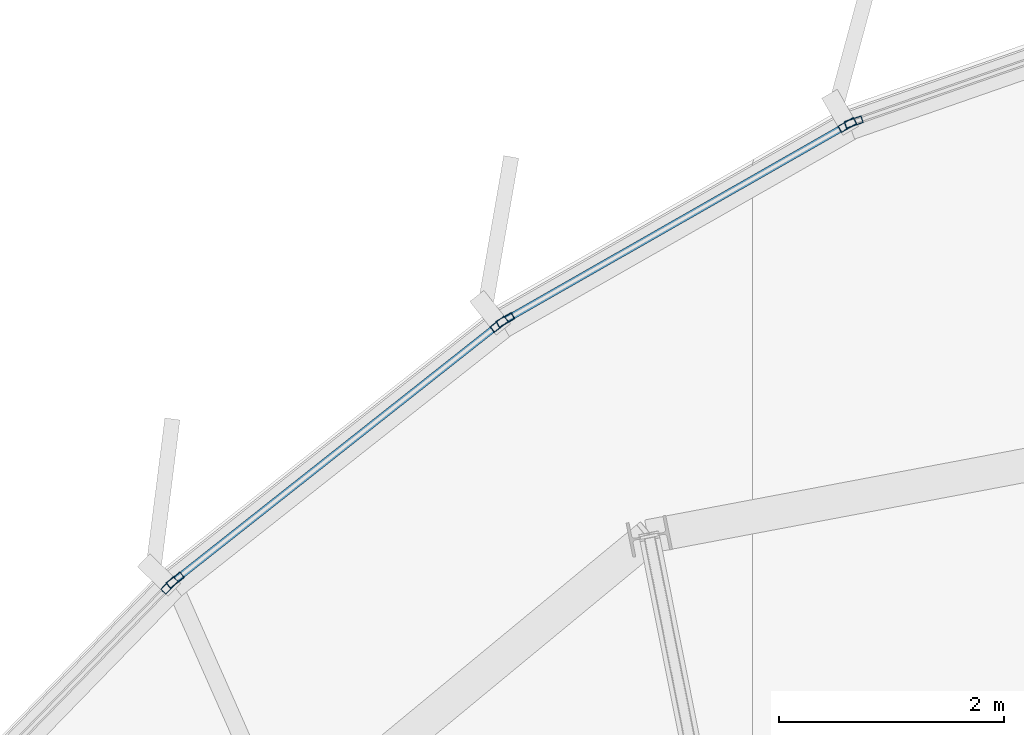
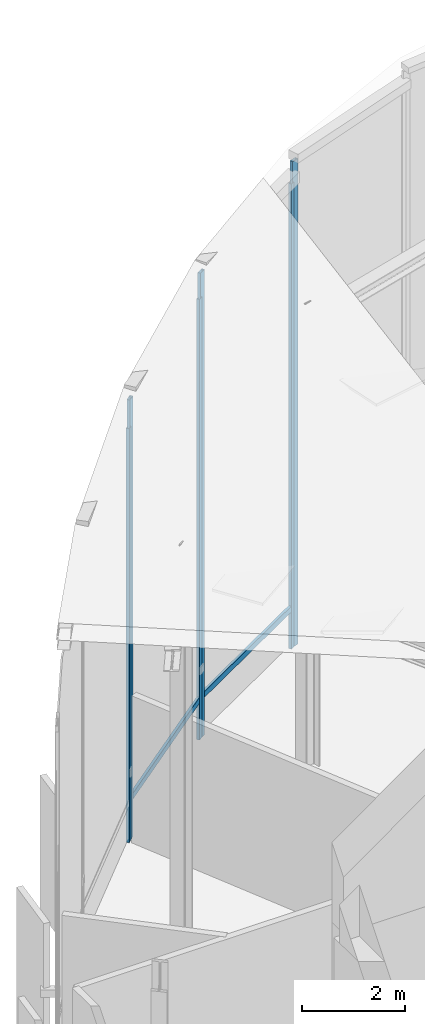
# One storey, part 19 of 36: 8 members, 4 elements without a shape of their own.
"""IFC4 building model written with IfcOpenShell, lengths in metres."""

from ifc_helpers import new_model, si_unit, direction, frame, origin, origin_2d, place, context, subcontext, project, spatial, hollow_rectangle, extrude, source, transform, mapped, material, layer, layer_set, material_profile, profile_set, type_object, element, aggregate, save


model = new_model("IFC4")

# Units and contexts
model_context = context("Model", 3, precision=1e-05, world=origin(), true_north=direction((0.0, 1.0)))
body_context = subcontext(model_context, "Body", "Model", "MODEL_VIEW")
ifc_project = project(units=[si_unit("LENGTHUNIT", "METRE"), si_unit("AREAUNIT", "SQUARE_METRE"), si_unit("VOLUMEUNIT", "CUBIC_METRE"), si_unit("PLANEANGLEUNIT", "RADIAN"), si_unit("MASSUNIT", "GRAM", prefix="KILO"), si_unit("THERMODYNAMICTEMPERATUREUNIT", "KELVIN")], contexts=[model_context])

# Site, building, storey
site_placement = place(None, origin())
site = spatial("IfcSite", under=ifc_project, at=site_placement, CompositionType="ELEMENT")
building_placement = place(site_placement, origin())
building = spatial("IfcBuilding", under=site, at=building_placement, Name="Kethvar Cultural Tower", CompositionType="ELEMENT")
storey_placement = place(building_placement, frame((0.0, 0.0, 324.300048828125)))
storey = spatial("IfcBuildingStorey", under=building, at=storey_placement, Name="L86", CompositionType="ELEMENT", Elevation=324.300048828125)

# Curtain wall, member
ifc_material = material(Name="Aluminium 6063-T6", Category="aluminium")
ifc_layer = layer(ifc_material, 0.179931640625, Name="Aluminium 6063-T6", Category="aluminium")
ifc_layer_set = layer_set([ifc_layer], Name="Aluminium 6063-T6 (180 mm)")
curtain_wall_type = type_object("IfcCurtainWallType", Name="CW-SYS-06-CROWN", PredefinedType="NOTDEFINED", material=ifc_layer_set)
curtain_wall_1_placement = place(storey_placement, origin())
curtain_wall_1 = element("IfcCurtainWall", 1, at=curtain_wall_1_placement, inside=storey, type_object=curtain_wall_type, Name="L86 Curtain Wall Run 03", PredefinedType="NOTDEFINED")
ifc_material_profile_1 = material_profile(ifc_material, hollow_rectangle(XDim=0.06494140625, YDim=0.159912109375, WallThickness=0.0048828125, at=origin_2d()), Name="Aluminium 6063-T6 — RHS160x65x5")
ifc_profile_set_1 = profile_set([ifc_material_profile_1], Name="Aluminium 6063-T6 — RHS160x65x5")
member_type_1 = type_object("IfcMemberType", Name="CW-SYS-06-CROWN-MUL", PredefinedType="MULLION", material=ifc_profile_set_1)
shared_shape_1 = source(origin(), body_context, "Body", "SweptSolid", [
    extrude(hollow_rectangle(XDim=0.06494140625, YDim=0.159912109375, WallThickness=0.0048828125, at=origin_2d()), origin(), (0.0, 0.0, 1.0), 11.52587890625),
])
member_1_placement = place(storey_placement, frame((45.05029296875, 49.414306640625, 0.0), z_axis=(0.0, 0.0, 1.0), x_axis=(0.32840509813, -0.944536972025, 0.0)))
member_1 = element("IfcMember", 2, at=member_1_placement, type_object=member_type_1, Name="CW-L86-R03 Mullion 2", PredefinedType="MULLION", context=body_context, shape_type="MappedRepresentation", body=[
    mapped(shared_shape_1, transform((0.0, 0.0, 0.0), scale=1.0)),
])
aggregate(curtain_wall_1, [member_1])

# Curtain wall, members
curtain_wall_2_placement = place(storey_placement, origin())
curtain_wall_2 = element("IfcCurtainWall", 3, at=curtain_wall_2_placement, inside=storey, type_object=curtain_wall_type, Name="L86 Curtain Wall Run 04", PredefinedType="NOTDEFINED")
shared_shape_2 = source(origin(), body_context, "Body", "SweptSolid", [
    extrude(hollow_rectangle(XDim=0.06494140625, YDim=0.159912109375, WallThickness=0.0048828125, at=origin_2d()), origin(), (0.0, 0.0, 1.0), 11.035400390625),
])
member_2_placement = place(storey_placement, frame((44.99365234375, 49.388671875, 0.0), z_axis=(0.0, 0.0, 1.0), x_axis=(0.495307056088, -0.868717975058, 0.0)))
member_2 = element("IfcMember", 4, at=member_2_placement, type_object=member_type_1, Name="CW-L86-R04 Mullion 1", PredefinedType="MULLION", context=body_context, shape_type="MappedRepresentation", body=[
    mapped(shared_shape_2, transform((0.0, 0.0, 0.0), scale=1.0)),
])
member_3_placement = place(storey_placement, frame((41.952880859375, 47.655029296875, 0.0), z_axis=(0.0, 0.0, 1.0), x_axis=(0.495307056088, -0.868717975058, 0.0)))
member_3 = element("IfcMember", 5, at=member_3_placement, type_object=member_type_1, Name="CW-L86-R04 Mullion 2", PredefinedType="MULLION", context=body_context, shape_type="MappedRepresentation", body=[
    mapped(shared_shape_2, transform((0.0, 0.0, 0.0), scale=1.0)),
])
ifc_material_profile_2 = material_profile(ifc_material, hollow_rectangle(XDim=0.06005859375, YDim=0.139892578125, WallThickness=0.0048828125, at=origin_2d()), Name="Aluminium 6063-T6 — RHS140x60x5")
ifc_profile_set_2 = profile_set([ifc_material_profile_2], Name="Aluminium 6063-T6 — RHS140x60x5")
member_type_2 = type_object("IfcMemberType", Name="CW-SYS-06-CROWN-TRN", PredefinedType="USERDEFINED", material=ifc_profile_set_2)
shared_shape_3 = source(origin(), body_context, "Body", "SweptSolid", [
    extrude(hollow_rectangle(XDim=0.06005859375, YDim=0.139892578125, WallThickness=0.0048828125, at=origin_2d()), origin(), (0.0, 0.0, 1.0), 3.490966796875),
])
member_4_placement = place(storey_placement, frame((44.98974609375, 49.386474609375, 0.949951171875), z_axis=(-0.868703247698, -0.495332885481, 0.0), x_axis=(0.495332885481, -0.868703247698, 0.0)))
member_4 = element("IfcMember", 6, at=member_4_placement, type_object=member_type_2, Name="CW-L86-R04 Transom 1", ObjectType="TRANSOM", PredefinedType="USERDEFINED", context=body_context, shape_type="MappedRepresentation", body=[
    mapped(shared_shape_3, transform((0.0, 0.0, 0.0), scale=1.0)),
])
aggregate(curtain_wall_2, [member_2, member_3, member_4])

curtain_wall_3_placement = place(storey_placement, origin())
curtain_wall_3 = element("IfcCurtainWall", 7, at=curtain_wall_3_placement, inside=storey, type_object=curtain_wall_type, Name="L86 Curtain Wall Run 05", PredefinedType="NOTDEFINED")
shared_shape_4 = source(origin(), body_context, "Body", "SweptSolid", [
    extrude(hollow_rectangle(XDim=0.06494140625, YDim=0.159912109375, WallThickness=0.0048828125, at=origin_2d()), origin(), (0.0, 0.0, 1.0), 10.45751953125),
])
member_5_placement = place(storey_placement, frame((41.898193359375, 47.617919921875, 0.0), z_axis=(0.0, 0.0, 1.0), x_axis=(0.61991599167, -0.784668186733, 0.0)))
member_5 = element("IfcMember", 8, at=member_5_placement, type_object=member_type_1, Name="CW-L86-R05 Mullion 1", PredefinedType="MULLION", context=body_context, shape_type="MappedRepresentation", body=[
    mapped(shared_shape_4, transform((0.0, 0.0, 0.0), scale=1.0)),
])
member_6_placement = place(storey_placement, frame((39.017822265625, 45.342529296875, 0.0), z_axis=(0.0, 0.0, 1.0), x_axis=(0.61991599167, -0.784668186733, 0.0)))
member_6 = element("IfcMember", 9, at=member_6_placement, type_object=member_type_1, Name="CW-L86-R05 Mullion 2", PredefinedType="MULLION", context=body_context, shape_type="MappedRepresentation", body=[
    mapped(shared_shape_4, transform((0.0, 0.0, 0.0), scale=1.0)),
])
shared_shape_5 = source(origin(), body_context, "Body", "SweptSolid", [
    extrude(hollow_rectangle(XDim=0.06005859375, YDim=0.139892578125, WallThickness=0.0048828125, at=origin_2d()), origin(), (0.0, 0.0, 1.0), 3.661376953125),
])
member_7_placement = place(storey_placement, frame((41.89453125, 47.614990234375, 0.949951171875), z_axis=(-0.78470522004, -0.619869113315, 0.0), x_axis=(0.619869113315, -0.78470522004, 0.0)))
member_7 = element("IfcMember", 10, at=member_7_placement, type_object=member_type_2, Name="CW-L86-R05 Transom 1", ObjectType="TRANSOM", PredefinedType="USERDEFINED", context=body_context, shape_type="MappedRepresentation", body=[
    mapped(shared_shape_5, transform((0.0, 0.0, 0.0), scale=1.0)),
])
aggregate(curtain_wall_3, [member_5, member_6, member_7])

# Curtain wall, member
curtain_wall_4_placement = place(storey_placement, origin())
curtain_wall_4 = element("IfcCurtainWall", 11, at=curtain_wall_4_placement, inside=storey, type_object=curtain_wall_type, Name="L86 Curtain Wall Run 06", PredefinedType="NOTDEFINED")
shared_shape_6 = source(origin(), body_context, "Body", "SweptSolid", [
    extrude(hollow_rectangle(XDim=0.06494140625, YDim=0.159912109375, WallThickness=0.0048828125, at=origin_2d()), origin(), (0.0, 0.0, 1.0), 9.821533203125),
])
member_8_placement = place(storey_placement, frame((38.967041015625, 45.296630859375, 0.0), z_axis=(0.0, 0.0, 1.0), x_axis=(0.717239059352, -0.696827189294, 0.0)))
member_8 = element("IfcMember", 12, at=member_8_placement, type_object=member_type_1, Name="CW-L86-R06 Mullion 1", PredefinedType="MULLION", context=body_context, shape_type="MappedRepresentation", body=[
    mapped(shared_shape_6, transform((0.0, 0.0, 0.0), scale=1.0)),
])
aggregate(curtain_wall_4, [member_8])

save(model, "model.ifc")
